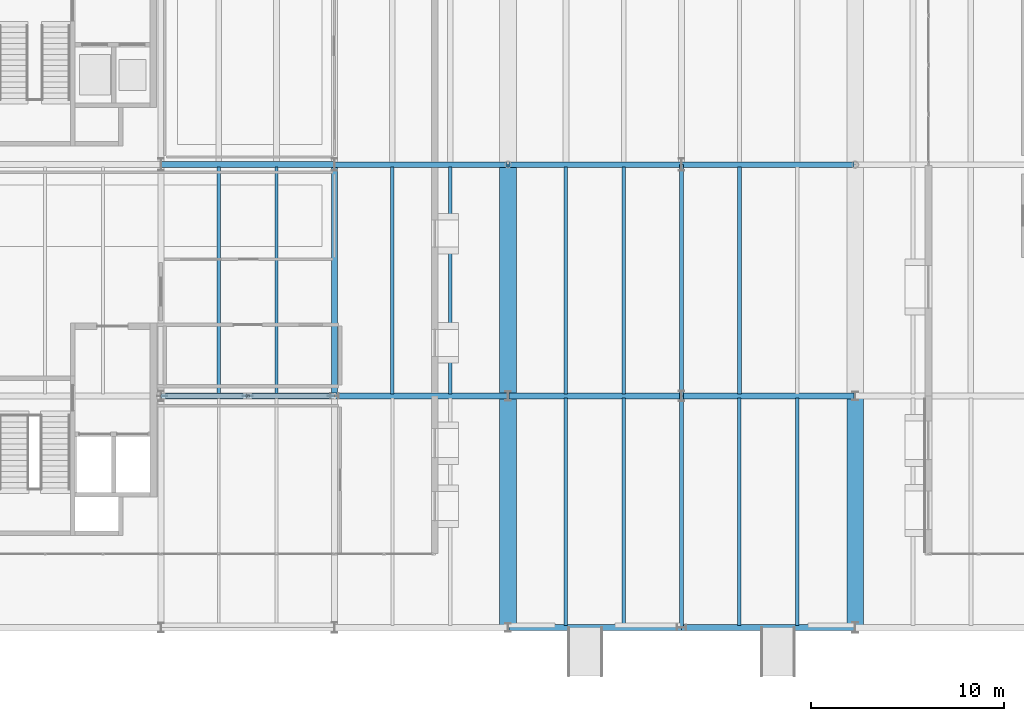
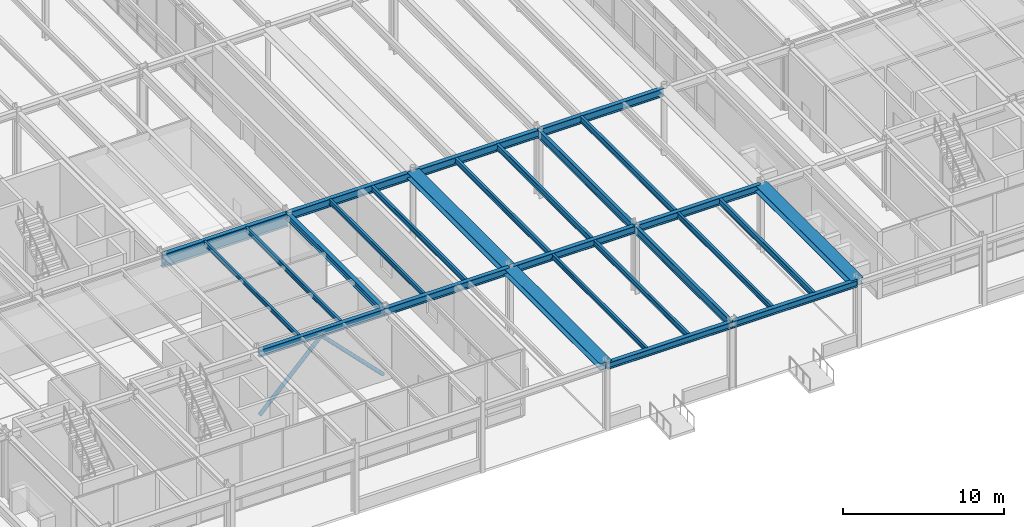
# One storey, part 33 of 143: 27 beams, 2 members.
"""IFC4 building model written with IfcOpenShell, lengths in metres."""

from ifc_helpers import new_model, si_unit, direction, frame, origin, origin_2d, place, context, subcontext, project, spatial, hollow_circle, i_section, extrude, material, material_profile, profile_set, type_object, element, save


model = new_model("IFC4")

# Units and contexts
model_context = context("Model", 3, precision=1e-05, world=origin(), true_north=direction((0.0, 1.0)))
body_context = subcontext(model_context, "Body", "Model", "MODEL_VIEW")
ifc_project = project(units=[si_unit("LENGTHUNIT", "METRE"), si_unit("AREAUNIT", "SQUARE_METRE"), si_unit("VOLUMEUNIT", "CUBIC_METRE"), si_unit("PLANEANGLEUNIT", "RADIAN"), si_unit("MASSUNIT", "GRAM", prefix="KILO")], contexts=[model_context])

# Site, building, storey
site_placement = place(None, origin())
site = spatial("IfcSite", under=ifc_project, at=site_placement, CompositionType="ELEMENT")
building_placement = place(site_placement, origin())
building = spatial("IfcBuilding", under=site, at=building_placement, Name="Montelvaro Courts of Justice", CompositionType="ELEMENT")
storey_placement = place(building_placement, origin())
storey = spatial("IfcBuildingStorey", under=building, at=storey_placement, Name="L00", CompositionType="ELEMENT", Elevation=0.0)

# Beams
ifc_material = material(Name="Steel S355", Category="steel")
ifc_material_profile_1 = material_profile(ifc_material, i_section(OverallWidth=0.300048828125, OverallDepth=0.489990234375, WebThickness=0.011962890625, FlangeThickness=0.02294921875, at=origin_2d()), Name="HEA 500")
ifc_profile_set_1 = profile_set([ifc_material_profile_1], Name="Steel S355")
beam_type_1 = type_object("IfcBeamType", Name="Beam_HEA500", PredefinedType="USERDEFINED", material=ifc_profile_set_1)
for number, where, z_axis, x_axis, name in (
    (1, (81.050048828125, 0.0, 4.8349609375), (1.0, 0.0, 0.0), (0.0, 1.0, 0.0), "Beam B-19 L00"),
    (2, (90.0, 0.0, 4.8349609375), (1.0, 0.0, 0.0), (0.0, 1.0, 0.0), "Beam B-19 L00"),
):
    element("IfcBeam", number, at=place(storey_placement, frame(where, z_axis=z_axis, x_axis=x_axis)), inside=storey, type_object=beam_type_1, Name=name, ObjectType="GIRDER", PredefinedType="USERDEFINED", context=body_context, shape_type="SweptSolid", body=[
        extrude(i_section(OverallWidth=0.300048828125, OverallDepth=0.489990234375, WebThickness=0.011962890625, FlangeThickness=0.02294921875, at=origin_2d()), origin(), (0.0, 0.0, 1.0), 8.949951171875),
    ])
beam_1_placement = place(storey_placement, frame((72.0, 12.0, 4.8349609375), z_axis=(0.0, 1.0, 0.0), x_axis=(-1.0, 0.0, 0.0)))
element("IfcBeam", 3, at=beam_1_placement, inside=storey, type_object=beam_type_1, Name="Beam B-19 L00", ObjectType="GIRDER", PredefinedType="USERDEFINED", context=body_context, shape_type="SweptSolid", body=[
    extrude(i_section(OverallWidth=0.300048828125, OverallDepth=0.489990234375, WebThickness=0.011962890625, FlangeThickness=0.02294921875, at=origin_2d()), origin(), (0.0, 0.0, 1.0), 12.0),
])
ifc_material_profile_2 = material_profile(ifc_material, i_section(OverallWidth=0.300048828125, OverallDepth=0.5400390625, WebThickness=0.012451171875, FlangeThickness=0.02392578125, at=origin_2d()), Name="HEA 550")
ifc_profile_set_2 = profile_set([ifc_material_profile_2], Name="Steel S355")
beam_type_2 = type_object("IfcBeamType", Name="Beam_HEA550", PredefinedType="USERDEFINED", material=ifc_profile_set_2)
beam_2_placement = place(storey_placement, frame((63.0, 12.0, 4.81005859375), z_axis=(1.0, 0.0, 0.0), x_axis=(0.0, 1.0, 0.0)))
element("IfcBeam", 4, at=beam_2_placement, inside=storey, type_object=beam_type_2, Name="Beam B-20 L00", ObjectType="GIRDER", PredefinedType="USERDEFINED", context=body_context, shape_type="SweptSolid", body=[
    extrude(i_section(OverallWidth=0.300048828125, OverallDepth=0.5400390625, WebThickness=0.012451171875, FlangeThickness=0.02392578125, at=origin_2d()), origin(), (0.0, 0.0, 1.0), 9.0),
])
for number, where, z_axis, x_axis, name in (
    (5, (72.0, 12.0, 4.81005859375), (1.0, 0.0, 0.0), (0.0, 1.0, 0.0), "Beam B-20 L00"),
    (6, (81.050048828125, 12.0, 4.81005859375), (1.0, 0.0, 0.0), (0.0, 1.0, 0.0), "Beam B-20 L00"),
    (7, (90.0, 12.0, 4.81005859375), (1.0, 0.0, 0.0), (0.0, 1.0, 0.0), "Beam B-20 L00"),
):
    element("IfcBeam", number, at=place(storey_placement, frame(where, z_axis=z_axis, x_axis=x_axis)), inside=storey, type_object=beam_type_2, Name=name, ObjectType="GIRDER", PredefinedType="USERDEFINED", context=body_context, shape_type="SweptSolid", body=[
        extrude(i_section(OverallWidth=0.300048828125, OverallDepth=0.5400390625, WebThickness=0.012451171875, FlangeThickness=0.02392578125, at=origin_2d()), origin(), (0.0, 0.0, 1.0), 8.949951171875),
    ])
ifc_material_profile_3 = material_profile(ifc_material, i_section(OverallWidth=0.300048828125, OverallDepth=0.590087890625, WebThickness=0.012939453125, FlangeThickness=0.02490234375, at=origin_2d()), Name="HEA 600")
ifc_profile_set_3 = profile_set([ifc_material_profile_3], Name="Steel S355")
beam_type_3 = type_object("IfcBeamType", Name="Beam_HEA600", PredefinedType="USERDEFINED", material=ifc_profile_set_3)
for number, where, z_axis, x_axis, name in (
    (8, (72.0, 24.0, 4.784912109375), (1.0, 0.0, 0.0), (0.0, 1.0, 0.0), "Beam B-21 L00"),
    (9, (81.050048828125, 24.0, 4.784912109375), (1.0, 0.0, 0.0), (0.0, 1.0, 0.0), "Beam B-21 L00"),
    (10, (90.0, 24.0, 4.784912109375), (1.0, 0.0, 0.0), (0.0, 1.0, 0.0), "Beam B-21 L00"),
):
    element("IfcBeam", number, at=place(storey_placement, frame(where, z_axis=z_axis, x_axis=x_axis)), inside=storey, type_object=beam_type_3, Name=name, ObjectType="GIRDER", PredefinedType="USERDEFINED", context=body_context, shape_type="SweptSolid", body=[
        extrude(i_section(OverallWidth=0.300048828125, OverallDepth=0.590087890625, WebThickness=0.012939453125, FlangeThickness=0.02490234375, at=origin_2d()), origin(), (0.0, 0.0, 1.0), 8.949951171875),
    ])
ifc_material_profile_4 = material_profile(ifc_material, i_section(OverallWidth=0.302001953125, OverallDepth=1.008056640625, WebThickness=0.02099609375, FlangeThickness=0.0400390625, at=origin_2d()), Name="HEM 1000")
ifc_profile_set_4 = profile_set([ifc_material_profile_4], Name="Steel S355")
beam_type_4 = type_object("IfcBeamType", Name="Beam_HEM1000", PredefinedType="USERDEFINED", material=ifc_profile_set_4)
beam_3_placement = place(storey_placement, frame((72.0, 24.0, 4.555908203125), z_axis=(-1.0, 0.0, 0.0), x_axis=(0.0, -1.0, 0.0)))
element("IfcBeam", 11, at=beam_3_placement, inside=storey, type_object=beam_type_4, Name="Pratt Cantilever Truss Chord CTR-BAR1-N-L01-BS1", ObjectType="GIRDER", PredefinedType="USERDEFINED", context=body_context, shape_type="SweptSolid", body=[
    extrude(i_section(OverallWidth=0.302001953125, OverallDepth=1.008056640625, WebThickness=0.02099609375, FlangeThickness=0.0400390625, at=origin_2d()), origin(), (0.0, 0.0, 1.0), 9.0),
])
ifc_material_profile_5 = material_profile(ifc_material, i_section(OverallWidth=0.159912109375, OverallDepth=0.330078125, WebThickness=0.007568359375, FlangeThickness=0.011474609375, at=origin_2d()), Name="IPE 330")
ifc_profile_set_5 = profile_set([ifc_material_profile_5], Name="Steel S355")
beam_type_5 = type_object("IfcBeamType", Name="Beam_IPE330", PredefinedType="BEAM", material=ifc_profile_set_5)
beam_4_placement = place(storey_placement, frame((66.0, 12.110107421875, 4.9150390625), z_axis=(0.0, 1.0, 0.0), x_axis=(-1.0, 0.0, 0.0)))
element("IfcBeam", 12, at=beam_4_placement, inside=storey, type_object=beam_type_5, Name="Beam B-06 L00", PredefinedType="BEAM", context=body_context, shape_type="SweptSolid", body=[
    extrude(i_section(OverallWidth=0.159912109375, OverallDepth=0.330078125, WebThickness=0.007568359375, FlangeThickness=0.011474609375, at=origin_2d()), origin(), (0.0, 0.0, 1.0), 11.77978515625),
])
ifc_material_profile_6 = material_profile(ifc_material, i_section(OverallWidth=0.169921875, OverallDepth=0.360107421875, WebThickness=0.008056640625, FlangeThickness=0.0126953125, at=origin_2d()), Name="IPE 360")
ifc_profile_set_6 = profile_set([ifc_material_profile_6], Name="Steel S355")
beam_type_6 = type_object("IfcBeamType", Name="Beam_IPE360", PredefinedType="BEAM", material=ifc_profile_set_6)
for number, where, z_axis, x_axis, name in (
    (13, (69.0, 12.110107421875, 4.89990234375), (0.0, 1.0, 0.0), (-1.0, 0.0, 0.0), "Beam B-07 L00"),
    (14, (75.0, 12.110107421875, 4.89990234375), (0.0, 1.0, 0.0), (-1.0, 0.0, 0.0), "Beam B-07 L00"),
    (15, (84.0, 0.110107421875, 4.89990234375), (0.0, 1.0, 0.0), (-1.0, 0.0, 0.0), "Beam B-07 L00"),
):
    element("IfcBeam", number, at=place(storey_placement, frame(where, z_axis=z_axis, x_axis=x_axis)), inside=storey, type_object=beam_type_6, Name=name, PredefinedType="BEAM", context=body_context, shape_type="SweptSolid", body=[
        extrude(i_section(OverallWidth=0.169921875, OverallDepth=0.360107421875, WebThickness=0.008056640625, FlangeThickness=0.0126953125, at=origin_2d()), origin(), (0.0, 0.0, 1.0), 11.77978515625),
    ])
ifc_material_profile_7 = material_profile(ifc_material, i_section(OverallWidth=0.179931640625, OverallDepth=0.39990234375, WebThickness=0.008544921875, FlangeThickness=0.013427734375, at=origin_2d()), Name="IPE 400")
ifc_profile_set_7 = profile_set([ifc_material_profile_7], Name="Steel S355")
beam_type_7 = type_object("IfcBeamType", Name="Beam_IPE400", PredefinedType="BEAM", material=ifc_profile_set_7)
for number, where, z_axis, x_axis, name in (
    (16, (78.0, 12.110107421875, 4.8798828125), (0.0, 1.0, 0.0), (-1.0, 0.0, 0.0), "Beam B-08 L00"),
    (17, (87.0, 0.110107421875, 4.8798828125), (0.0, 1.0, 0.0), (-1.0, 0.0, 0.0), "Beam B-08 L00"),
    (18, (84.0, 12.110107421875, 4.8798828125), (0.0, 1.0, 0.0), (-1.0, 0.0, 0.0), "Beam B-08 L00"),
    (19, (93.0, 0.110107421875, 4.8798828125), (0.0, 1.0, 0.0), (-1.0, 0.0, 0.0), "Beam B-08 L00"),
):
    element("IfcBeam", number, at=place(storey_placement, frame(where, z_axis=z_axis, x_axis=x_axis)), inside=storey, type_object=beam_type_7, Name=name, PredefinedType="BEAM", context=body_context, shape_type="SweptSolid", body=[
        extrude(i_section(OverallWidth=0.179931640625, OverallDepth=0.39990234375, WebThickness=0.008544921875, FlangeThickness=0.013427734375, at=origin_2d()), origin(), (0.0, 0.0, 1.0), 11.77978515625),
    ])
ifc_material_profile_8 = material_profile(ifc_material, i_section(OverallWidth=0.18994140625, OverallDepth=0.449951171875, WebThickness=0.009521484375, FlangeThickness=0.0146484375, at=origin_2d()), Name="IPE 450")
ifc_profile_set_8 = profile_set([ifc_material_profile_8], Name="Steel S355")
beam_type_8 = type_object("IfcBeamType", Name="Beam_IPE450", PredefinedType="BEAM", material=ifc_profile_set_8)
for number, where, z_axis, x_axis, name in (
    (20, (87.0, 12.110107421875, 4.85498046875), (0.0, 1.0, 0.0), (-1.0, 0.0, 0.0), "Beam B-09 L00"),
    (21, (96.0, 0.110107421875, 4.85498046875), (0.0, 1.0, 0.0), (-1.0, 0.0, 0.0), "Beam B-09 L00"),
    (22, (93.0, 12.110107421875, 4.85498046875), (0.0, 1.0, 0.0), (-1.0, 0.0, 0.0), "Beam B-09 L00"),
):
    element("IfcBeam", number, at=place(storey_placement, frame(where, z_axis=z_axis, x_axis=x_axis)), inside=storey, type_object=beam_type_8, Name=name, PredefinedType="BEAM", context=body_context, shape_type="SweptSolid", body=[
        extrude(i_section(OverallWidth=0.18994140625, OverallDepth=0.449951171875, WebThickness=0.009521484375, FlangeThickness=0.0146484375, at=origin_2d()), origin(), (0.0, 0.0, 1.0), 11.77978515625),
    ])
ifc_material_profile_9 = material_profile(ifc_material, i_section(OverallWidth=0.219970703125, OverallDepth=0.60009765625, WebThickness=0.011962890625, FlangeThickness=0.01904296875, at=origin_2d()), Name="IPE 600")
ifc_profile_set_9 = profile_set([ifc_material_profile_9], Name="Steel S355")
beam_type_9 = type_object("IfcBeamType", Name="Beam_IPE600", PredefinedType="USERDEFINED", material=ifc_profile_set_9)
for number, where, z_axis, x_axis, name in (
    (23, (90.0, 0.0, 4.780029296875), (0.0, 1.0, 0.0), (-1.0, 0.0, 0.0), "Beam B-12 L00"),
    (24, (90.0, 12.0, 4.780029296875), (0.0, 1.0, 0.0), (-1.0, 0.0, 0.0), "Beam B-12 L00"),
):
    element("IfcBeam", number, at=place(storey_placement, frame(where, z_axis=z_axis, x_axis=x_axis)), inside=storey, type_object=beam_type_9, Name=name, ObjectType="GIRDER", PredefinedType="USERDEFINED", context=body_context, shape_type="SweptSolid", body=[
        extrude(i_section(OverallWidth=0.219970703125, OverallDepth=0.60009765625, WebThickness=0.011962890625, FlangeThickness=0.01904296875, at=origin_2d()), origin(), (0.0, 0.0, 1.0), 12.0),
    ])
ifc_material_profile_10 = material_profile(ifc_material, i_section(OverallWidth=0.860107421875, OverallDepth=0.47998046875, WebThickness=0.02001953125, FlangeThickness=0.031982421875, at=origin_2d()), Name="HL 480x860")
ifc_profile_set_10 = profile_set([ifc_material_profile_10], Name="Steel S355")
beam_type_10 = type_object("IfcBeamType", Name="Beam_MJSeat_860", PredefinedType="USERDEFINED", material=ifc_profile_set_10)
for number, where, z_axis, x_axis, name in (
    (25, (81.0, 0.0, 4.840087890625), (0.0, 1.0, 0.0), (-1.0, 0.0, 0.0), "Beam BC-01 L00"),
    (26, (81.0, 12.0, 4.840087890625), (0.0, 1.0, 0.0), (-1.0, 0.0, 0.0), "Beam BC-01 L00"),
    (27, (99.0, 0.0, 4.840087890625), (0.0, 1.0, 0.0), (-1.0, 0.0, 0.0), "Beam BC-01 L00"),
):
    element("IfcBeam", number, at=place(storey_placement, frame(where, z_axis=z_axis, x_axis=x_axis)), inside=storey, type_object=beam_type_10, Name=name, ObjectType="GIRDER", PredefinedType="USERDEFINED", context=body_context, shape_type="SweptSolid", body=[
        extrude(i_section(OverallWidth=0.860107421875, OverallDepth=0.47998046875, WebThickness=0.02001953125, FlangeThickness=0.031982421875, at=origin_2d()), origin(), (0.0, 0.0, 1.0), 12.0),
    ])

# Members
ifc_material_profile_11 = material_profile(ifc_material, hollow_circle(Radius=0.136474609375, WallThickness=0.012451171875, at=origin_2d()), Name="CHS 273x12.5")
ifc_profile_set_11 = profile_set([ifc_material_profile_11], Name="Steel S355")
member_type = type_object("IfcMemberType", Name="Mem_CHS273_Brace", PredefinedType="BRACE", material=ifc_profile_set_11)
for number, where, z_axis, x_axis, name in (
    (28, (63.080078125, 12.0, 0.080078125), (0.702319070398, 0.0, 0.71186229241), (0.0, 1.0, 0.0), "Lateral Braced Frame CBF1 Diagonal 1 (L00)"),
    (29, (71.919921875, 12.0, 0.080078125), (-0.702319070398, 0.0, 0.71186229241), (0.0, -1.0, 0.0), "Lateral Braced Frame CBF1 Diagonal 2 (L00)"),
):
    element("IfcMember", number, at=place(storey_placement, frame(where, z_axis=z_axis, x_axis=x_axis)), inside=storey, type_object=member_type, Name=name, PredefinedType="BRACE", context=body_context, shape_type="SweptSolid", body=[
        extrude(hollow_circle(Radius=0.136474609375, WallThickness=0.012451171875, at=origin_2d()), origin(), (0.0, 0.0, 1.0), 6.293212890625),
    ])

save(model, "model.ifc")
